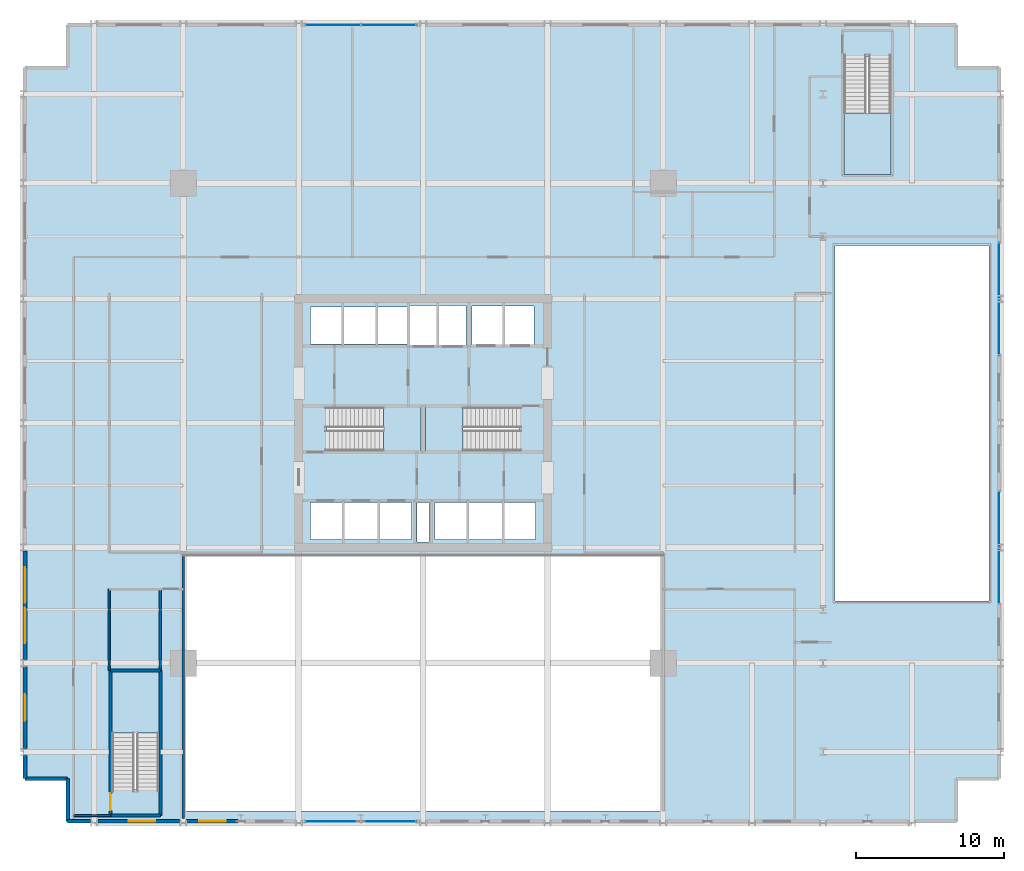
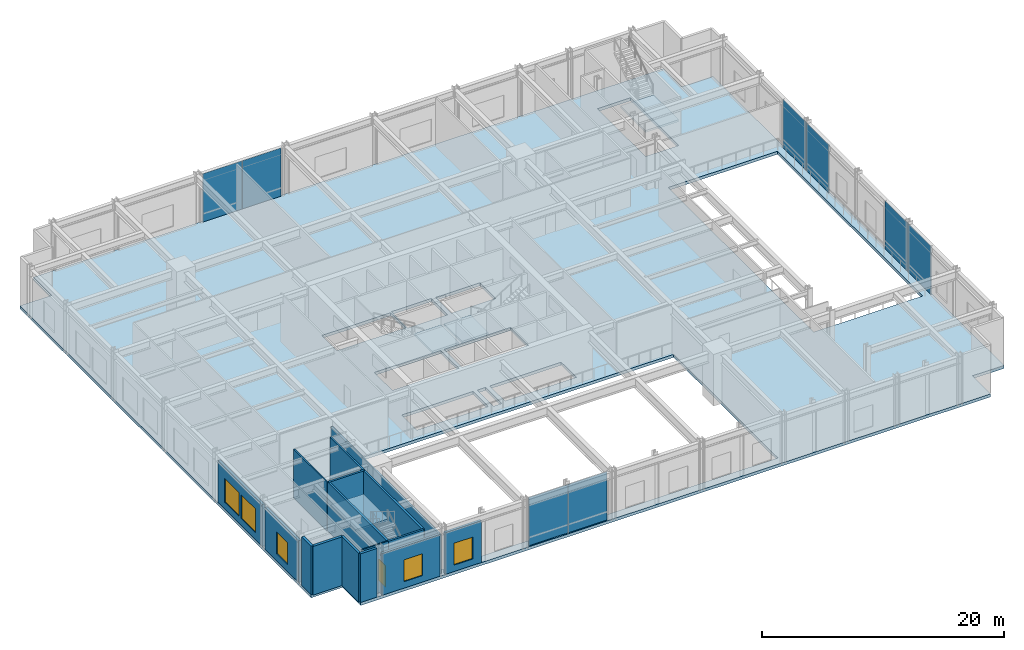
# One storey, part 10 of 19: 16 walls, 8 plates, 5 slabs, 5 windows, 1 door, 6 openings, 8 elements without a shape of their own.
"""IFC4 building model written with IfcOpenShell, lengths in metres."""

from ifc_helpers import new_model, si_unit, direction, frame, frame_2d, origin, origin_2d, place, context, subcontext, project, spatial, polyline, rectangle, outline, extrude, material, layer, layer_set, type_object, element, fill, aggregate, save


model = new_model("IFC4")

# Units and contexts
model_context = context("Model", 3, precision=1e-05, world=origin(), true_north=direction((0.0, 1.0)))
body_context = subcontext(model_context, "Body", "Model", "MODEL_VIEW")
ifc_project = project(units=[si_unit("LENGTHUNIT", "METRE"), si_unit("AREAUNIT", "SQUARE_METRE"), si_unit("VOLUMEUNIT", "CUBIC_METRE"), si_unit("PLANEANGLEUNIT", "RADIAN"), si_unit("MASSUNIT", "GRAM", prefix="KILO")], contexts=[model_context])

# Site, building, storey
site_placement = place(None, origin())
site = spatial("IfcSite", under=ifc_project, at=site_placement, CompositionType="ELEMENT")
building_placement = place(site_placement, origin())
building = spatial("IfcBuilding", under=site, at=building_placement, Name="Drelvath Grand Hotel", CompositionType="ELEMENT")
storey_placement = place(building_placement, frame((0.0, 0.0, 17.199951171875)))
storey = spatial("IfcBuildingStorey", under=building, at=storey_placement, Name="L03", CompositionType="ELEMENT", Elevation=17.199951171875)

# Slab
ifc_material_1 = material(Name="Concrete f'c 40 MPa", Category="concrete")
ifc_layer_1 = layer(ifc_material_1, 0.300048828125)
ifc_layer_set_1 = layer_set([ifc_layer_1], Name="Concrete f'c 40 MPa")
slab_type_1 = type_object("IfcSlabType", Name="Composite RC Floor Slab 300", PredefinedType="FLOOR", material=ifc_layer_set_1)
slab_1_placement = place(storey_placement, frame((0.0, 0.0, -0.300048828125)))
element("IfcSlab", 1, at=slab_1_placement, inside=storey, type_object=slab_type_1, Name="L03 Structural Floor Slab", PredefinedType="FLOOR", context=body_context, shape_type="SweptSolid", body=[
    extrude(outline(polyline([(-24.0, 0.0), (36.0, 0.0), (36.0, 3.0), (39.0, 3.0), (39.0, 51.0), (36.0, 51.0), (36.0, 54.0), (-24.0, 54.0), (-24.0, 51.0), (-27.0, 51.0), (-27.0, 3.0), (-24.0, 3.0), (-24.0, 0.0)]), holes=[polyline([(-6.47998046875, 25.1201171875), (-6.47998046875, 28.080078125), (-0.14990234375, 28.080078125), (-0.14990234375, 25.1201171875), (-6.47998046875, 25.1201171875)]), polyline([(0.14990234375, 25.1201171875), (0.14990234375, 28.080078125), (6.47998046875, 28.080078125), (6.47998046875, 25.1201171875), (0.14990234375, 25.1201171875)]), polyline([(-21.0, 2.27001953125), (-21.0, 10.199951171875), (-17.840087890625, 10.199951171875), (-17.840087890625, 2.27001953125), (-21.0, 2.27001953125)]), polyline([(28.419921875, 43.800048828125), (28.419921875, 51.72998046875), (31.580078125, 51.72998046875), (31.580078125, 43.800048828125), (28.419921875, 43.800048828125)]), polyline([(-7.60009765625, 19.14990234375), (-7.60009765625, 21.64990234375), (-0.800048828125, 21.64990234375), (-0.800048828125, 19.14990234375), (-7.60009765625, 19.14990234375)]), polyline([(-0.39990234375, 18.9599609375), (-0.39990234375, 21.639892578125), (0.39990234375, 21.639892578125), (0.39990234375, 18.9599609375), (-0.39990234375, 18.9599609375)]), polyline([(0.800048828125, 19.14990234375), (0.800048828125, 21.64990234375), (7.60009765625, 21.64990234375), (7.60009765625, 19.14990234375), (0.800048828125, 19.14990234375)]), polyline([(-7.60009765625, 32.35009765625), (-7.60009765625, 34.85009765625), (-1.02001953125, 34.85009765625), (-1.02001953125, 32.35009765625), (-7.60009765625, 32.35009765625)]), polyline([(-0.89990234375, 32.25), (-0.89990234375, 34.949951171875), (2.89990234375, 34.949951171875), (2.89990234375, 32.25), (-0.89990234375, 32.25)]), polyline([(3.300048828125, 32.300048828125), (3.300048828125, 34.89990234375), (7.5, 34.89990234375), (7.5, 32.300048828125), (3.300048828125, 32.300048828125)]), polyline([(27.800048828125, 15.0), (27.800048828125, 39.0), (38.199951171875, 39.0), (38.199951171875, 15.0), (27.800048828125, 15.0)]), polyline([(-16.199951171875, 0.800048828125), (-16.199951171875, 18.0), (16.199951171875, 18.0), (16.199951171875, 0.800048828125), (-16.199951171875, 0.800048828125)])]), origin(), (0.0, 0.0, 1.0), 0.300048828125),
])

# Stair, slab
ifc_material_2 = material(Name="Concrete C40/50", Category="concrete")
stair_type_1 = type_object("IfcStairType", Name="Dogleg Exit Stair W1400-R173.3", PredefinedType="HALF_TURN_STAIR", material=ifc_material_2)
stair_1_placement = place(storey_placement, origin())
stair_1 = element("IfcStair", 2, at=stair_1_placement, inside=storey, type_object=stair_type_1, Name="L03 Core Exit Stair ST-1", PredefinedType="HALF_TURN_STAIR")
ifc_layer_2 = layer(ifc_material_2, 0.199951171875)
ifc_layer_set_2 = layer_set([ifc_layer_2], Name="Concrete C40/50")
slab_type_2 = type_object("IfcSlabType", Name="Concrete Stair Landing Slab 200", PredefinedType="LANDING", material=ifc_layer_set_2)
slab_2_placement = place(storey_placement, frame((0.0, 0.0, 2.400146484375)))
slab_2 = element("IfcSlab", 3, at=slab_2_placement, type_object=slab_type_2, Name="ST-1 landing 1", PredefinedType="LANDING", context=body_context, shape_type="SweptSolid", body=[
    extrude(outline(polyline([(-2.679931640625, 25.1201171875), (-0.14990234375, 25.1201171875), (-0.14990234375, 28.080078125), (-2.679931640625, 28.080078125), (-2.679931640625, 25.1201171875)])), origin(), (0.0, 0.0, 1.0), 0.199951171875),
])
aggregate(stair_1, [slab_2])

stair_2_placement = place(storey_placement, origin())
stair_2 = element("IfcStair", 4, at=stair_2_placement, inside=storey, type_object=stair_type_1, Name="L03 Core Exit Stair ST-2", PredefinedType="HALF_TURN_STAIR")
slab_3_placement = place(storey_placement, frame((0.0, 0.0, 2.400146484375)))
slab_3 = element("IfcSlab", 5, at=slab_3_placement, type_object=slab_type_2, Name="ST-2 landing 1", PredefinedType="LANDING", context=body_context, shape_type="SweptSolid", body=[
    extrude(outline(polyline([(2.679931640625, 28.080078125), (0.14990234375, 28.080078125), (0.14990234375, 25.1201171875), (2.679931640625, 25.1201171875), (2.679931640625, 28.080078125)])), origin(), (0.0, 0.0, 1.0), 0.199951171875),
])
aggregate(stair_2, [slab_3])

stair_type_2 = type_object("IfcStairType", Name="Dogleg Exit Stair W1500-R173.3", PredefinedType="HALF_TURN_STAIR", material=ifc_material_2)
stair_3_placement = place(storey_placement, origin())
stair_3 = element("IfcStair", 6, at=stair_3_placement, inside=storey, type_object=stair_type_2, Name="L03 Podium Exit Stair ST-3", PredefinedType="HALF_TURN_STAIR")
slab_4_placement = place(storey_placement, frame((0.0, 0.0, 2.400146484375)))
slab_4 = element("IfcSlab", 7, at=slab_4_placement, type_object=slab_type_2, Name="ST-3 landing 1", PredefinedType="LANDING", context=body_context, shape_type="SweptSolid", body=[
    extrude(outline(polyline([(-17.840087890625, 6.070068359375), (-17.840087890625, 10.199951171875), (-21.0, 10.199951171875), (-21.0, 6.070068359375), (-17.840087890625, 6.070068359375)])), origin(), (0.0, 0.0, 1.0), 0.199951171875),
])
aggregate(stair_3, [slab_4])

stair_4_placement = place(storey_placement, origin())
stair_4 = element("IfcStair", 8, at=stair_4_placement, inside=storey, type_object=stair_type_2, Name="L03 Podium Exit Stair ST-4", PredefinedType="HALF_TURN_STAIR")
slab_5_placement = place(storey_placement, frame((0.0, 0.0, 2.400146484375)))
slab_5 = element("IfcSlab", 9, at=slab_5_placement, type_object=slab_type_2, Name="ST-4 landing 1", PredefinedType="LANDING", context=body_context, shape_type="SweptSolid", body=[
    extrude(outline(polyline([(28.419921875, 47.929931640625), (28.419921875, 43.800048828125), (31.580078125, 43.800048828125), (31.580078125, 47.929931640625), (28.419921875, 47.929931640625)])), origin(), (0.0, 0.0, 1.0), 0.199951171875),
])
aggregate(stair_4, [slab_5])

# Curtain wall, plates
ifc_material_3 = material(Name="Dark Bronze Anodised Aluminium Frame", Category="aluminium")
ifc_layer_3 = layer(ifc_material_3, 0.199951171875)
ifc_layer_set_3 = layer_set([ifc_layer_3], Name="Dark Bronze Anodised Aluminium Frame")
curtain_wall_type = type_object("IfcCurtainWallType", Name="Stick Curtain Wall CW-01 Dark Bronze Podium", PredefinedType="NOTDEFINED", material=ifc_layer_set_3)
curtain_wall_1_placement = place(storey_placement, origin())
curtain_wall_1 = element("IfcCurtainWall", 10, at=curtain_wall_1_placement, inside=storey, type_object=curtain_wall_type, Name="L03 CW-01 Curtain Wall CW01-L03-EA1", PredefinedType="NOTDEFINED")
ifc_material_4 = material(Name="Low-E Double Silver Vision Glass Clear", Category="glass")
ifc_layer_4 = layer(ifc_material_4, 0.035888671875)
ifc_layer_set_4 = layer_set([ifc_layer_4], Name="Low-E Double Silver Vision Glass Clear")
plate_type = type_object("IfcPlateType", Name="Curtain Wall Vision Panel CW-01 36mm", PredefinedType="CURTAIN_PANEL", material=ifc_layer_set_4)
plate_1_placement = place(storey_placement, frame((38.8798828125, 20.5, 0.02001953125), z_axis=(0.0, 0.0, 1.0), x_axis=(0.0, -1.0, 0.0)))
plate_1 = element("IfcPlate", 11, at=plate_1_placement, type_object=plate_type, Name="CW01-L03-EA1 Glazed Panel 1", PredefinedType="CURTAIN_PANEL", context=body_context, shape_type="SweptSolid", body=[
    extrude(rectangle(XDim=3.760009765625, YDim=0.035888671875, at=origin_2d()), origin(), (0.0, 0.0, 1.0), 4.860107421875),
])
plate_2_placement = place(storey_placement, frame((38.8798828125, 16.699951171875, 0.02001953125), z_axis=(0.0, 0.0, 1.0), x_axis=(0.0, -1.0, 0.0)))
plate_2 = element("IfcPlate", 12, at=plate_2_placement, type_object=plate_type, Name="CW01-L03-EA1 Glazed Panel 2", PredefinedType="CURTAIN_PANEL", context=body_context, shape_type="SweptSolid", body=[
    extrude(rectangle(XDim=3.760009765625, YDim=0.035888671875, at=origin_2d()), origin(), (0.0, 0.0, 1.0), 4.860107421875),
])
aggregate(curtain_wall_1, [plate_1, plate_2])

curtain_wall_2_placement = place(storey_placement, origin())
curtain_wall_2 = element("IfcCurtainWall", 13, at=curtain_wall_2_placement, inside=storey, type_object=curtain_wall_type, Name="L03 CW-01 Curtain Wall CW01-L03-EA2", PredefinedType="NOTDEFINED")
plate_3_placement = place(storey_placement, frame((38.8798828125, 37.300048828125, 0.02001953125), z_axis=(0.0, 0.0, 1.0), x_axis=(0.0, -1.0, 0.0)))
plate_3 = element("IfcPlate", 14, at=plate_3_placement, type_object=plate_type, Name="CW01-L03-EA2 Glazed Panel 1", PredefinedType="CURTAIN_PANEL", context=body_context, shape_type="SweptSolid", body=[
    extrude(rectangle(XDim=3.760009765625, YDim=0.035888671875, at=origin_2d()), origin(), (0.0, 0.0, 1.0), 4.860107421875),
])
plate_4_placement = place(storey_placement, frame((38.8798828125, 33.5, 0.02001953125), z_axis=(0.0, 0.0, 1.0), x_axis=(0.0, -1.0, 0.0)))
plate_4 = element("IfcPlate", 15, at=plate_4_placement, type_object=plate_type, Name="CW01-L03-EA2 Glazed Panel 2", PredefinedType="CURTAIN_PANEL", context=body_context, shape_type="SweptSolid", body=[
    extrude(rectangle(XDim=3.760009765625, YDim=0.035888671875, at=origin_2d()), origin(), (0.0, 0.0, 1.0), 4.860107421875),
])
aggregate(curtain_wall_2, [plate_3, plate_4])

curtain_wall_3_placement = place(storey_placement, origin())
curtain_wall_3 = element("IfcCurtainWall", 16, at=curtain_wall_3_placement, inside=storey, type_object=curtain_wall_type, Name="L03 CW-01 Curtain Wall CW01-L03-SC1", PredefinedType="NOTDEFINED")
plate_5_placement = place(storey_placement, frame((-2.324951171875, 0.1201171875, 0.02001953125), z_axis=(0.0, 0.0, 1.0), x_axis=(-1.0, 0.0, 0.0)))
plate_5 = element("IfcPlate", 17, at=plate_5_placement, type_object=plate_type, Name="CW01-L03-SC1 Glazed Panel 1", PredefinedType="CURTAIN_PANEL", context=body_context, shape_type="SweptSolid", body=[
    extrude(rectangle(XDim=3.7099609375, YDim=0.035888671875, at=origin_2d()), origin(), (0.0, 0.0, 1.0), 4.860107421875),
])
plate_6_placement = place(storey_placement, frame((-6.074951171875, 0.1201171875, 0.02001953125), z_axis=(0.0, 0.0, 1.0), x_axis=(-1.0, 0.0, 0.0)))
plate_6 = element("IfcPlate", 18, at=plate_6_placement, type_object=plate_type, Name="CW01-L03-SC1 Glazed Panel 2", PredefinedType="CURTAIN_PANEL", context=body_context, shape_type="SweptSolid", body=[
    extrude(rectangle(XDim=3.7099609375, YDim=0.035888671875, at=origin_2d()), origin(), (0.0, 0.0, 1.0), 4.860107421875),
])
aggregate(curtain_wall_3, [plate_5, plate_6])

curtain_wall_4_placement = place(storey_placement, origin())
curtain_wall_4 = element("IfcCurtainWall", 19, at=curtain_wall_4_placement, inside=storey, type_object=curtain_wall_type, Name="L03 CW-01 Curtain Wall CW01-L03-NC1", PredefinedType="NOTDEFINED")
plate_7_placement = place(storey_placement, frame((-6.074951171875, 53.8798828125, 0.02001953125), z_axis=(0.0, 0.0, 1.0), x_axis=(1.0, 0.0, 0.0)))
plate_7 = element("IfcPlate", 20, at=plate_7_placement, type_object=plate_type, Name="CW01-L03-NC1 Glazed Panel 1", PredefinedType="CURTAIN_PANEL", context=body_context, shape_type="SweptSolid", body=[
    extrude(rectangle(XDim=3.7099609375, YDim=0.035888671875, at=origin_2d()), origin(), (0.0, 0.0, 1.0), 4.860107421875),
])
plate_8_placement = place(storey_placement, frame((-2.324951171875, 53.8798828125, 0.02001953125), z_axis=(0.0, 0.0, 1.0), x_axis=(1.0, 0.0, 0.0)))
plate_8 = element("IfcPlate", 21, at=plate_8_placement, type_object=plate_type, Name="CW01-L03-NC1 Glazed Panel 2", PredefinedType="CURTAIN_PANEL", context=body_context, shape_type="SweptSolid", body=[
    extrude(rectangle(XDim=3.7099609375, YDim=0.035888671875, at=origin_2d()), origin(), (0.0, 0.0, 1.0), 4.860107421875),
])
aggregate(curtain_wall_4, [plate_7, plate_8])

# Wall, opening, door
ifc_layer_5 = layer(ifc_material_2, 0.199951171875)
ifc_layer_set_5 = layer_set([ifc_layer_5], Name="Concrete C40/50")
wall_type_1 = type_object("IfcWallType", Name="Core Shaft Fire Wall 200", PredefinedType="SOLIDWALL", material=ifc_layer_set_5)
wall_1_placement = place(storey_placement, frame((-21.10009765625, 0.5, 0.0), z_axis=(0.0, 0.0, 1.0), x_axis=(0.0, 1.0, 0.0)))
wall_1 = element("IfcWall", 22, at=wall_1_placement, inside=storey, type_object=wall_type_1, Name="L03 Stair ST-3 West Wall", PredefinedType="SOLIDWALL", context=body_context, shape_type="SweptSolid", body=[
    extrude(rectangle(XDim=9.800048828125, YDim=0.199951171875, at=frame_2d((4.89990234375, 0.0))), origin(), (0.0, 0.0, 1.0), 4.900146484375),
])
opening_1_placement = place(wall_1_placement, frame((0.35009765625, 0.0, 0.0)))
opening_1 = element("IfcOpeningElement", 23, at=opening_1_placement, cuts=wall_1, Name="Opening D-L03-018", PredefinedType="OPENING", context=body_context, shape_type="SweptSolid", body=[
    extrude(rectangle(XDim=1.14990234375, YDim=2.14990234375, at=frame_2d((0.574951171875, 1.074951171875))), frame((0.0, 0.10986328125, 0.0), z_axis=(0.0, -1.0, 0.0), x_axis=(1.0, 0.0, 0.0)), (0.0, 0.0, 1.0), 0.219970703125),
])
ifc_material_5 = material(Name="Painted Steel S275", Category="steel")
door_type = type_object("IfcDoorType", Name="Podium Stairwell Fire Door 1150x2150", OperationType="NOTDEFINED", PredefinedType="DOOR", material=ifc_material_5)
door_placement = place(opening_1_placement, origin())
door = element("IfcDoor", 24, at=door_placement, inside=storey, type_object=door_type, Name="L03 Exit Stair ST-3 Entry Door", OperationType="SINGLE_SWING_LEFT", OverallHeight=2.14990234375, OverallWidth=1.14990234375, PredefinedType="DOOR", context=body_context, shape_type="SweptSolid", body=[
    extrude(rectangle(XDim=1.14990234375, YDim=2.14990234375, at=frame_2d((0.574951171875, 1.074951171875))), frame((0.0, 0.02490234375, 0.0), z_axis=(0.0, -1.0, 0.0), x_axis=(1.0, 0.0, 0.0)), (0.0, 0.0, 1.0), 0.050048828125),
])
fill(opening_1, door)

# Walls
wall_2_placement = place(storey_placement, frame((-17.739990234375, 10.300048828125, 0.0), z_axis=(0.0, 0.0, 1.0), x_axis=(0.0, -1.0, 0.0)))
element("IfcWall", 25, at=wall_2_placement, inside=storey, type_object=wall_type_1, Name="L03 Stair ST-3 East Wall", PredefinedType="SOLIDWALL", context=body_context, shape_type="SweptSolid", body=[
    extrude(rectangle(XDim=9.800048828125, YDim=0.199951171875, at=frame_2d((4.89990234375, 0.0))), origin(), (0.0, 0.0, 1.0), 4.900146484375),
])
for number, where, z_axis, x_axis, name in (
    (26, (-21.10009765625, 0.5, 0.0), (0.0, 0.0, 1.0), (1.0, 0.0, 0.0), "L03 Stair ST-3 South Wall"),
    (27, (-17.739990234375, 10.300048828125, 0.0), (0.0, 0.0, 1.0), (-1.0, 0.0, 0.0), "L03 Stair ST-3 North Wall"),
):
    element("IfcWall", number, at=place(storey_placement, frame(where, z_axis=z_axis, x_axis=x_axis)), inside=storey, type_object=wall_type_1, Name=name, PredefinedType="SOLIDWALL", context=body_context, shape_type="SweptSolid", body=[
        extrude(rectangle(XDim=3.360107421875, YDim=0.199951171875, at=frame_2d((1.68017578125, 0.0))), origin(), (0.0, 0.0, 1.0), 4.900146484375),
    ])
ifc_material_6 = material(Name="Gypsum Fireboard Partition")
ifc_layer_6 = layer(ifc_material_6, 0.135009765625)
ifc_layer_set_6 = layer_set([ifc_layer_6], Name="Gypsum Fireboard Partition")
wall_type_2 = type_object("IfcWallType", Name="Corridor Fire Barrier Wall 135", PredefinedType="PARTITIONING", material=ifc_layer_set_6)
wall_3_placement = place(storey_placement, frame((-21.199951171875, 10.300048828125, 0.0), z_axis=(0.0, 0.0, 1.0), x_axis=(0.0, 1.0, 0.0)))
element("IfcWall", 28, at=wall_3_placement, inside=storey, type_object=wall_type_2, Name="L03 ST-3 Spur South-East Wall", PredefinedType="PARTITIONING", context=body_context, shape_type="SweptSolid", body=[
    extrude(rectangle(XDim=5.5, YDim=0.135009765625, at=frame_2d((2.75, 0.0))), origin(), (0.0, 0.0, 1.0), 4.900146484375),
])
wall_4_placement = place(storey_placement, frame((-23.60009765625, 0.5, 0.0), z_axis=(0.0, 0.0, 1.0), x_axis=(1.0, 0.0, 0.0)))
element("IfcWall", 29, at=wall_4_placement, inside=storey, type_object=wall_type_2, Name="L03 ST-3 Spur South End", PredefinedType="PARTITIONING", context=body_context, shape_type="SweptSolid", body=[
    extrude(rectangle(XDim=2.5, YDim=0.135009765625, at=frame_2d((1.25, 0.0))), origin(), (0.0, 0.0, 1.0), 4.900146484375),
])
ifc_material_7 = material(Name="Insulated Granite Rainscreen Assembly", Category="masonry")
ifc_layer_7 = layer(ifc_material_7, 0.239990234375)
ifc_layer_set_7 = layer_set([ifc_layer_7], Name="Insulated Granite Rainscreen Assembly")
wall_type_3 = type_object("IfcWallType", Name="Podium Granite Rainscreen Exterior Wall 240", PredefinedType="STANDARD", material=ifc_layer_set_7)
wall_5_placement = place(storey_placement, frame((-26.8798828125, 3.0, 0.0), z_axis=(0.0, 0.0, 1.0), x_axis=(0.0, 1.0, 0.0)))
element("IfcWall", 30, at=wall_5_placement, inside=storey, type_object=wall_type_3, Name="L03 West Podium Granite Wall 1", PredefinedType="STANDARD", context=body_context, shape_type="SweptSolid", body=[
    extrude(rectangle(XDim=1.55908203125, YDim=0.239990234375, at=frame_2d((0.779541015625, 0.0))), origin(), (0.0, 0.0, 1.0), 4.900146484375),
])

# Wall, opening, window
wall_6_placement = place(storey_placement, frame((-26.8798828125, 5.041015625, 0.0), z_axis=(0.0, 0.0, 1.0), x_axis=(0.0, 1.0, 0.0)))
wall_6 = element("IfcWall", 31, at=wall_6_placement, inside=storey, type_object=wall_type_3, Name="L03 West Podium Granite Wall 2", PredefinedType="STANDARD", context=body_context, shape_type="SweptSolid", body=[
    extrude(rectangle(XDim=5.51806640625, YDim=0.239990234375, at=frame_2d((2.759033203125, 0.0))), origin(), (0.0, 0.0, 1.0), 4.20458984375),
])
opening_2_placement = place(wall_6_placement, frame((1.859130859375, 0.0, 0.699951171875)))
opening_2 = element("IfcOpeningElement", 32, at=opening_2_placement, cuts=wall_6, Name="Opening W-02", PredefinedType="OPENING", context=body_context, shape_type="SweptSolid", body=[
    extrude(rectangle(XDim=1.800048828125, YDim=2.199951171875, at=frame_2d((0.89990234375, 1.10009765625))), frame((0.0, 0.1298828125, 0.0), z_axis=(0.0, -1.0, 0.0), x_axis=(1.0, 0.0, 0.0)), (0.0, 0.0, 1.0), 0.260009765625),
])
ifc_material_8 = material(Name="Bronze Anodised Low-E Triple Glazing", Category="glass")
window_type_1 = type_object("IfcWindowType", Name="Chicago Double-Pane Podium Window 1800x2400", PartitioningType="DOUBLE_PANEL_VERTICAL", PredefinedType="WINDOW", material=ifc_material_8)
window_1_placement = place(opening_2_placement, origin())
window_1 = element("IfcWindow", 33, at=window_1_placement, inside=storey, type_object=window_type_1, Name="L03 West Podium Window 2", OverallHeight=2.199951171875, OverallWidth=1.800048828125, PartitioningType="SINGLE_PANEL", PredefinedType="WINDOW", context=body_context, shape_type="SweptSolid", body=[
    extrude(rectangle(XDim=1.800048828125, YDim=2.199951171875, at=frame_2d((0.89990234375, 1.10009765625))), frame((0.0, 0.030029296875, 0.0), z_axis=(0.0, -1.0, 0.0), x_axis=(1.0, 0.0, 0.0)), (0.0, 0.0, 1.0), 0.06005859375),
])
fill(opening_2, window_1)

# Wall, openings, windows
wall_7_placement = place(storey_placement, frame((-26.8798828125, 11.041015625, 0.0), z_axis=(0.0, 0.0, 1.0), x_axis=(0.0, 1.0, 0.0)))
wall_7 = element("IfcWall", 34, at=wall_7_placement, inside=storey, type_object=wall_type_3, Name="L03 West Podium Granite Wall 3", PredefinedType="STANDARD", context=body_context, shape_type="SweptSolid", body=[
    extrude(rectangle(XDim=7.318115234375, YDim=0.239990234375, at=frame_2d((3.6591796875, 0.0))), origin(), (0.0, 0.0, 1.0), 4.20458984375),
])
opening_3_placement = place(wall_7_placement, frame((1.10009765625, 0.0, 0.699951171875)))
opening_3 = element("IfcOpeningElement", 35, at=opening_3_placement, cuts=wall_7, Name="Opening W-01", PredefinedType="OPENING", context=body_context, shape_type="SweptSolid", body=[
    extrude(rectangle(XDim=2.39990234375, YDim=2.39990234375, at=frame_2d((1.199951171875, 1.199951171875))), frame((0.0, 0.1298828125, 0.0), z_axis=(0.0, -1.0, 0.0), x_axis=(1.0, 0.0, 0.0)), (0.0, 0.0, 1.0), 0.260009765625),
])
opening_4_placement = place(wall_7_placement, frame((3.818115234375, 0.0, 0.699951171875)))
opening_4 = element("IfcOpeningElement", 36, at=opening_4_placement, cuts=wall_7, Name="Opening W-01", PredefinedType="OPENING", context=body_context, shape_type="SweptSolid", body=[
    extrude(rectangle(XDim=2.39990234375, YDim=2.39990234375, at=frame_2d((1.199951171875, 1.199951171875))), frame((0.0, 0.1298828125, 0.0), z_axis=(0.0, -1.0, 0.0), x_axis=(1.0, 0.0, 0.0)), (0.0, 0.0, 1.0), 0.260009765625),
])
window_type_2 = type_object("IfcWindowType", Name="Chicago Triple-Pane Podium Window 2400x2600", PartitioningType="TRIPLE_PANEL_VERTICAL", PredefinedType="WINDOW", material=ifc_material_8)
window_2_placement = place(opening_3_placement, origin())
window_2 = element("IfcWindow", 37, at=window_2_placement, inside=storey, type_object=window_type_2, Name="L03 West Podium Window 3-1", OverallHeight=2.39990234375, OverallWidth=2.39990234375, PartitioningType="SINGLE_PANEL", PredefinedType="WINDOW", context=body_context, shape_type="SweptSolid", body=[
    extrude(rectangle(XDim=2.39990234375, YDim=2.39990234375, at=frame_2d((1.199951171875, 1.199951171875))), frame((0.0, 0.030029296875, 0.0), z_axis=(0.0, -1.0, 0.0), x_axis=(1.0, 0.0, 0.0)), (0.0, 0.0, 1.0), 0.06005859375),
])
fill(opening_3, window_2)
window_3_placement = place(opening_4_placement, origin())
window_3 = element("IfcWindow", 38, at=window_3_placement, inside=storey, type_object=window_type_2, Name="L03 West Podium Window 3-2", OverallHeight=2.39990234375, OverallWidth=2.39990234375, PartitioningType="SINGLE_PANEL", PredefinedType="WINDOW", context=body_context, shape_type="SweptSolid", body=[
    extrude(rectangle(XDim=2.39990234375, YDim=2.39990234375, at=frame_2d((1.199951171875, 1.199951171875))), frame((0.0, 0.030029296875, 0.0), z_axis=(0.0, -1.0, 0.0), x_axis=(1.0, 0.0, 0.0)), (0.0, 0.0, 1.0), 0.06005859375),
])
fill(opening_4, window_3)

# Wall
wall_8_placement = place(storey_placement, frame((-22.44091796875, 0.1201171875, 0.0), z_axis=(0.0, 0.0, 1.0), x_axis=(-1.0, 0.0, 0.0)))
element("IfcWall", 39, at=wall_8_placement, inside=storey, type_object=wall_type_3, Name="L03 South Podium Granite Wall 1", PredefinedType="STANDARD", context=body_context, shape_type="SweptSolid", body=[
    extrude(rectangle(XDim=1.55908203125, YDim=0.239990234375, at=frame_2d((0.779541015625, 0.0))), origin(), (0.0, 0.0, 1.0), 4.900146484375),
])

# Wall, opening, window
wall_9_placement = place(storey_placement, frame((-16.44091796875, 0.1201171875, 0.0), z_axis=(0.0, 0.0, 1.0), x_axis=(-1.0, 0.0, 0.0)))
wall_9 = element("IfcWall", 40, at=wall_9_placement, inside=storey, type_object=wall_type_3, Name="L03 South Podium Granite Wall 2", PredefinedType="STANDARD", context=body_context, shape_type="SweptSolid", body=[
    extrude(rectangle(XDim=5.51806640625, YDim=0.239990234375, at=frame_2d((2.759033203125, 0.0))), origin(), (0.0, 0.0, 1.0), 4.20458984375),
])
opening_5_placement = place(wall_9_placement, frame((1.64990234375, 0.0, 0.64990234375)))
opening_5 = element("IfcOpeningElement", 41, at=opening_5_placement, cuts=wall_9, Name="Opening W-02", PredefinedType="OPENING", context=body_context, shape_type="SweptSolid", body=[
    extrude(rectangle(XDim=1.800048828125, YDim=2.199951171875, at=frame_2d((0.89990234375, 1.10009765625))), frame((0.0, 0.1298828125, 0.0), z_axis=(0.0, -1.0, 0.0), x_axis=(1.0, 0.0, 0.0)), (0.0, 0.0, 1.0), 0.260009765625),
])
window_4_placement = place(opening_5_placement, origin())
window_4 = element("IfcWindow", 42, at=window_4_placement, inside=storey, type_object=window_type_1, Name="L03 South Chicago Window 2-1", OverallHeight=2.199951171875, OverallWidth=1.800048828125, PartitioningType="SINGLE_PANEL", PredefinedType="WINDOW", context=body_context, shape_type="SweptSolid", body=[
    extrude(rectangle(XDim=1.800048828125, YDim=2.199951171875, at=frame_2d((0.89990234375, 1.10009765625))), frame((0.0, 0.030029296875, 0.0), z_axis=(0.0, -1.0, 0.0), x_axis=(1.0, 0.0, 0.0)), (0.0, 0.0, 1.0), 0.06005859375),
])
fill(opening_5, window_4)

wall_10_placement = place(storey_placement, frame((-12.49267578125, 0.1201171875, 0.0), z_axis=(0.0, 0.0, 1.0), x_axis=(-1.0, 0.0, 0.0)))
wall_10 = element("IfcWall", 43, at=wall_10_placement, inside=storey, type_object=wall_type_3, Name="L03 South Podium Granite Wall 3", PredefinedType="STANDARD", context=body_context, shape_type="SweptSolid", body=[
    extrude(rectangle(XDim=3.46630859375, YDim=0.239990234375, at=frame_2d((1.733154296875, 0.0))), origin(), (0.0, 0.0, 1.0), 4.20458984375),
])
opening_6_placement = place(wall_10_placement, frame((0.833251953125, 0.0, 0.64990234375)))
opening_6 = element("IfcOpeningElement", 44, at=opening_6_placement, cuts=wall_10, Name="Opening W-02", PredefinedType="OPENING", context=body_context, shape_type="SweptSolid", body=[
    extrude(rectangle(XDim=1.800048828125, YDim=2.199951171875, at=frame_2d((0.89990234375, 1.10009765625))), frame((0.0, 0.1298828125, 0.0), z_axis=(0.0, -1.0, 0.0), x_axis=(1.0, 0.0, 0.0)), (0.0, 0.0, 1.0), 0.260009765625),
])
window_5_placement = place(opening_6_placement, origin())
window_5 = element("IfcWindow", 45, at=window_5_placement, inside=storey, type_object=window_type_1, Name="L03 South Chicago Window 3", OverallHeight=2.199951171875, OverallWidth=1.800048828125, PartitioningType="SINGLE_PANEL", PredefinedType="WINDOW", context=body_context, shape_type="SweptSolid", body=[
    extrude(rectangle(XDim=1.800048828125, YDim=2.199951171875, at=frame_2d((0.89990234375, 1.10009765625))), frame((0.0, 0.030029296875, 0.0), z_axis=(0.0, -1.0, 0.0), x_axis=(1.0, 0.0, 0.0)), (0.0, 0.0, 1.0), 0.06005859375),
])
fill(opening_6, window_5)

# Walls
for number, where, z_axis, x_axis, name in (
    (46, (-24.0, 0.1201171875, 0.0), (0.0, 0.0, 1.0), (0.0, 1.0, 0.0), "L03 Podium Corner Return Wall CSW1"),
    (47, (-24.0, 3.0, 0.0), (0.0, 0.0, 1.0), (-1.0, 0.0, 0.0), "L03 Podium Corner Return Wall CSW2"),
):
    element("IfcWall", number, at=place(storey_placement, frame(where, z_axis=z_axis, x_axis=x_axis)), inside=storey, type_object=wall_type_3, Name=name, PredefinedType="STANDARD", context=body_context, shape_type="SweptSolid", body=[
        extrude(rectangle(XDim=2.8798828125, YDim=0.239990234375, at=frame_2d((1.43994140625, 0.0))), origin(), (0.0, 0.0, 1.0), 4.900146484375),
    ])
ifc_material_9 = material(Name="Gypsum Acoustic Partition")
ifc_layer_8 = layer(ifc_material_9, 0.1650390625)
ifc_layer_set_8 = layer_set([ifc_layer_8], Name="Gypsum Acoustic Partition")
wall_type_4 = type_object("IfcWallType", Name="Suite Demising Wall 165", PredefinedType="PARTITIONING", material=ifc_layer_set_8)
wall_11_placement = place(storey_placement, frame((-17.739990234375, 10.300048828125, 0.0), z_axis=(0.0, 0.0, 1.0), x_axis=(0.0, 1.0, 0.0)))
element("IfcWall", 48, at=wall_11_placement, inside=storey, type_object=wall_type_4, Name="L03 ST-3 East Demising Wall", PredefinedType="PARTITIONING", context=body_context, shape_type="SweptSolid", body=[
    extrude(rectangle(XDim=5.5, YDim=0.1650390625, at=frame_2d((2.75, 0.0))), origin(), (0.0, 0.0, 1.0), 4.900146484375),
])
wall_12_placement = place(storey_placement, frame((-16.199951171875, 0.300048828125, 0.0), z_axis=(0.0, 0.0, 1.0), x_axis=(0.0, 1.0, 0.0)))
element("IfcWall", 49, at=wall_12_placement, inside=storey, type_object=wall_type_4, Name="L03 Ballroom Void West Wall", PredefinedType="PARTITIONING", context=body_context, shape_type="SweptSolid", body=[
    extrude(rectangle(XDim=17.93994140625, YDim=0.1650390625, at=frame_2d((8.969970703125, 0.0))), origin(), (0.0, 0.0, 1.0), 3.936767578125),
])

save(model, "model.ifc")
